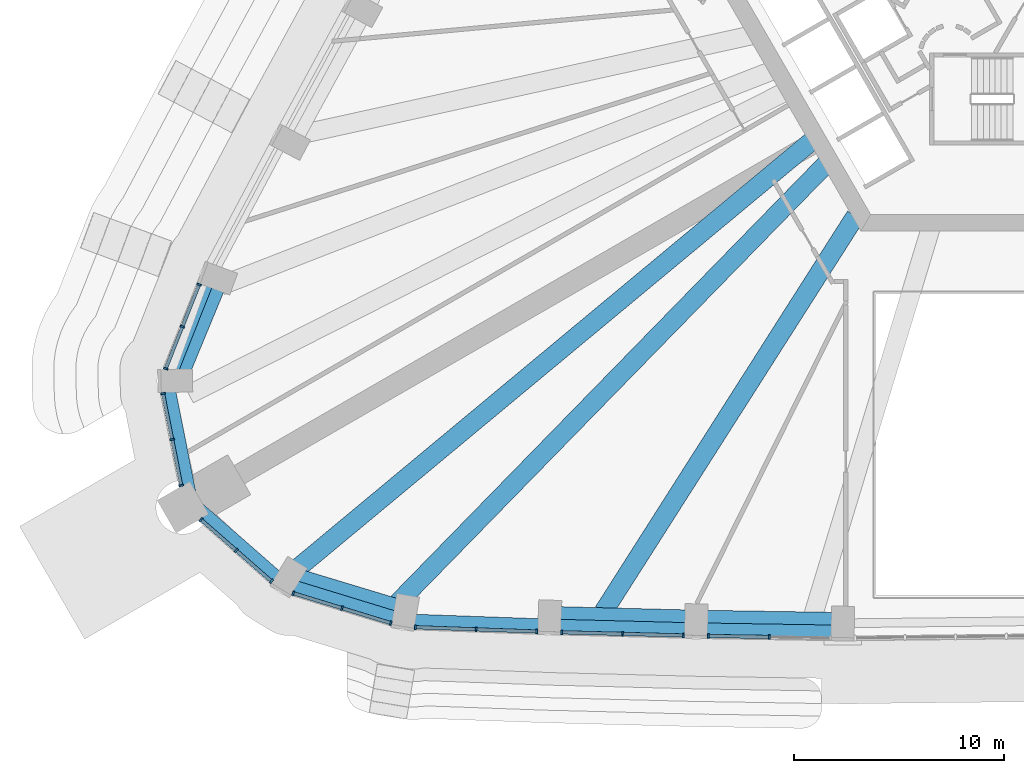
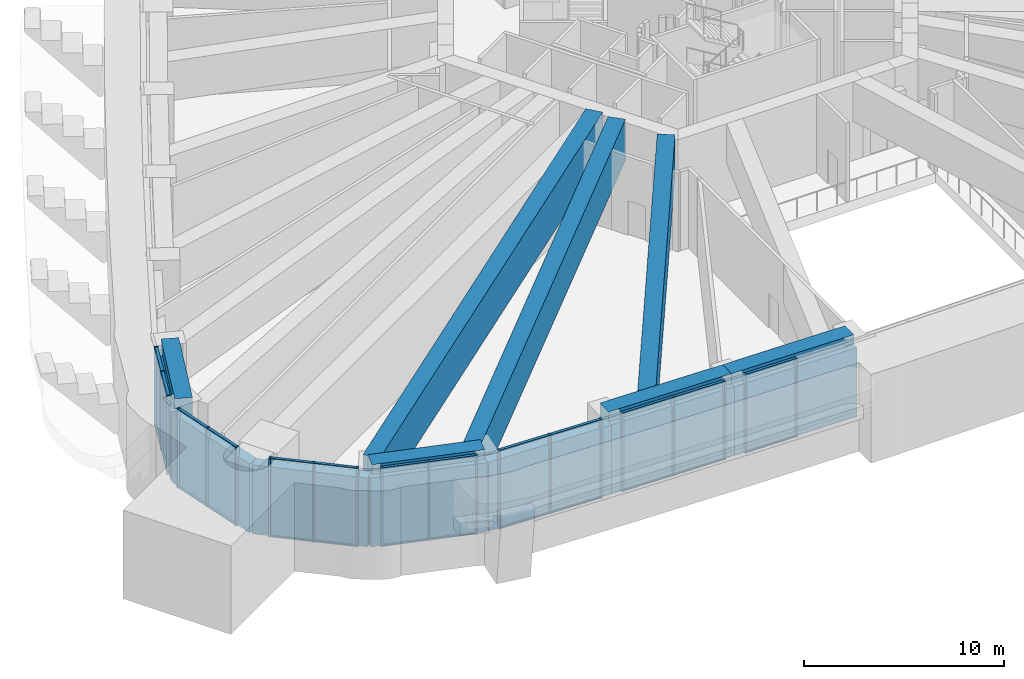
# One storey, part 2 of 22: 53 members, 7 beams, 7 elements without a shape of their own.
"""IFC4 building model written with IfcOpenShell, lengths in metres."""

from ifc_helpers import new_model, si_unit, direction, frame, origin, origin_2d, place, context, subcontext, project, spatial, rectangle, extrude, material, material_profile, profile_set, type_object, element, aggregate, save


model = new_model("IFC4")

# Units and contexts
model_context = context("Model", 3, precision=1e-05, world=origin(), true_north=direction((0.0, 1.0)))
body_context = subcontext(model_context, "Body", "Model", "MODEL_VIEW")
ifc_project = project(units=[si_unit("LENGTHUNIT", "METRE"), si_unit("AREAUNIT", "SQUARE_METRE"), si_unit("VOLUMEUNIT", "CUBIC_METRE"), si_unit("PLANEANGLEUNIT", "RADIAN"), si_unit("MASSUNIT", "GRAM", prefix="KILO")], contexts=[model_context])

# Site, building, storey
site_placement = place(None, origin())
site = spatial("IfcSite", under=ifc_project, at=site_placement, CompositionType="ELEMENT")
building_placement = place(site_placement, origin())
building = spatial("IfcBuilding", under=site, at=building_placement, Name="Entoto Arch Interchange Tower", CompositionType="ELEMENT")
storey_placement = place(building_placement, frame((0.0, 0.0, 132.800048828125)))
storey = spatial("IfcBuildingStorey", under=building, at=storey_placement, Name="L29", CompositionType="ELEMENT", Elevation=132.800048828125)

# Members
ifc_material_1 = material(Name="Concrete C60/75", Category="concrete")
ifc_material_profile_1 = material_profile(ifc_material_1, rectangle(XDim=0.60009765625, YDim=4.199951171875, at=origin_2d()))
ifc_profile_set_1 = profile_set([ifc_material_profile_1], Name="Concrete C60/75")
member_type_1 = type_object("IfcMemberType", Name="Belt member RC 600x4200 C60/75", PredefinedType="USERDEFINED", material=ifc_profile_set_1)
member_1_placement = place(storey_placement, frame((-28.7099609375, -28.0400390625, 2.099853515625), z_axis=(0.999360970644, -0.035744235238, 0.0), x_axis=(0.035744235238, 0.999360970644, 0.0)))
element("IfcMember", 1, at=member_1_placement, inside=storey, type_object=member_type_1, Name="Belt beam 01 L29", ObjectType="BELT BEAM", PredefinedType="USERDEFINED", context=body_context, shape_type="SweptSolid", body=[
    extrude(rectangle(XDim=0.60009765625, YDim=4.199951171875, at=origin_2d()), origin(), (0.0, 0.0, 1.0), 6.939453125),
])
member_2_placement = place(storey_placement, frame((-21.77490234375, -28.2880859375, 2.099853515625), z_axis=(0.999668764038, -0.025736398473, 0.0), x_axis=(0.025736398473, 0.999668764038, 0.0)))
element("IfcMember", 2, at=member_2_placement, inside=storey, type_object=member_type_1, Name="Belt beam 02 L29", ObjectType="BELT BEAM", PredefinedType="USERDEFINED", context=body_context, shape_type="SweptSolid", body=[
    extrude(rectangle(XDim=0.60009765625, YDim=4.199951171875, at=origin_2d()), origin(), (0.0, 0.0, 1.0), 6.9912109375),
])
member_3_placement = place(storey_placement, frame((-14.785888671875, -28.468017578125, 2.099853515625), z_axis=(0.999871402349, -0.016036794104, 0.0), x_axis=(0.016036794104, 0.999871402349, 0.0)))
element("IfcMember", 3, at=member_3_placement, inside=storey, type_object=member_type_1, Name="Belt beam 03 L29", ObjectType="BELT BEAM", PredefinedType="USERDEFINED", context=body_context, shape_type="SweptSolid", body=[
    extrude(rectangle(XDim=0.60009765625, YDim=4.199951171875, at=origin_2d()), origin(), (0.0, 0.0, 1.0), 6.98779296875),
])
member_4_placement = place(storey_placement, frame((-37.964111328125, -11.639892578125, 2.099853515625), z_axis=(-0.369253098372, -0.929328870391, 0.0), x_axis=(0.929328870391, -0.369253098372, 0.0)))
element("IfcMember", 4, at=member_4_placement, inside=storey, type_object=member_type_1, Name="Belt beam 32 L29", ObjectType="BELT BEAM", PredefinedType="USERDEFINED", context=body_context, shape_type="SweptSolid", body=[
    extrude(rectangle(XDim=0.60009765625, YDim=4.199951171875, at=origin_2d()), origin(), (0.0, 0.0, 1.0), 5.4375),
])
member_5_placement = place(storey_placement, frame((-39.971923828125, -16.693115234375, 2.099853515625), z_axis=(0.194660969903, -0.980870586161, 0.0), x_axis=(0.980870586161, 0.194660969903, 0.0)))
element("IfcMember", 5, at=member_5_placement, inside=storey, type_object=member_type_1, Name="Belt beam 33 L29", ObjectType="BELT BEAM", PredefinedType="USERDEFINED", context=body_context, shape_type="SweptSolid", body=[
    extrude(rectangle(XDim=0.60009765625, YDim=4.199951171875, at=origin_2d()), origin(), (0.0, 0.0, 1.0), 5.8408203125),
])
member_6_placement = place(storey_placement, frame((-38.8349609375, -22.422119140625, 2.099853515625), z_axis=(0.752288320751, -0.658834032562, 0.0), x_axis=(0.658834032562, 0.752288320751, 0.0)))
element("IfcMember", 6, at=member_6_placement, inside=storey, type_object=member_type_1, Name="Belt beam 34 L29", ObjectType="BELT BEAM", PredefinedType="USERDEFINED", context=body_context, shape_type="SweptSolid", body=[
    extrude(rectangle(XDim=0.60009765625, YDim=4.199951171875, at=origin_2d()), origin(), (0.0, 0.0, 1.0), 5.875244140625),
])
member_7_placement = place(storey_placement, frame((-34.4150390625, -26.29296875, 2.099853515625), z_axis=(0.956170968562, -0.292808946038, 0.0), x_axis=(0.292808946038, 0.956170968562, 0.0)))
element("IfcMember", 7, at=member_7_placement, inside=storey, type_object=member_type_1, Name="Belt beam 35 L29", ObjectType="BELT BEAM", PredefinedType="USERDEFINED", context=body_context, shape_type="SweptSolid", body=[
    extrude(rectangle(XDim=0.60009765625, YDim=4.199951171875, at=origin_2d()), origin(), (0.0, 0.0, 1.0), 5.966552734375),
])

# Curtain wall, members
ifc_material_2 = material(Name="Aluminium, anodised", Category="aluminium")
curtain_wall_type = type_object("IfcCurtainWallType", Name="CURTAIN WALL SKY LOBBY", PredefinedType="NOTDEFINED", material=ifc_material_2)
curtain_wall_1_placement = place(storey_placement, origin())
curtain_wall_1 = element("IfcCurtainWall", 8, at=curtain_wall_1_placement, inside=storey, type_object=curtain_wall_type, Name="Sky Lobby glazing S-01 L29", PredefinedType="NOTDEFINED")
ifc_material_profile_2 = material_profile(ifc_material_2, rectangle(XDim=0.219970703125, YDim=0.090087890625, at=origin_2d()))
ifc_profile_set_2 = profile_set([ifc_material_profile_2], Name="Aluminium, anodised")
member_type_2 = type_object("IfcMemberType", Name="MULLION SKY LOBBY 90x220", PredefinedType="MULLION", material=ifc_profile_set_2)
member_8_placement = place(storey_placement, frame((-28.162109375, -28.379638671875, 0.0), z_axis=(0.0, 0.0, 1.0), x_axis=(0.03572794113, 0.999361553304, 0.0)))
member_8 = element("IfcMember", 9, at=member_8_placement, type_object=member_type_2, Name="CWS mullion 1", PredefinedType="MULLION", context=body_context, shape_type="SweptSolid", body=[
    extrude(rectangle(XDim=0.219970703125, YDim=0.090087890625, at=origin_2d()), origin(), (0.0, 0.0, 1.0), 4.800048828125),
])
member_9_placement = place(storey_placement, frame((-25.27001953125, -28.48291015625, 0.0), z_axis=(0.0, 0.0, 1.0), x_axis=(0.03572794113, 0.999361553304, 0.0)))
member_9 = element("IfcMember", 10, at=member_9_placement, type_object=member_type_2, Name="CWS mullion 2", PredefinedType="MULLION", context=body_context, shape_type="SweptSolid", body=[
    extrude(rectangle(XDim=0.219970703125, YDim=0.090087890625, at=origin_2d()), origin(), (0.0, 0.0, 1.0), 4.800048828125),
])
member_10_placement = place(storey_placement, frame((-22.3779296875, -28.58642578125, 0.0), z_axis=(0.0, 0.0, 1.0), x_axis=(0.03572794113, 0.999361553304, 0.0)))
member_10 = element("IfcMember", 11, at=member_10_placement, type_object=member_type_2, Name="CWS mullion 3", PredefinedType="MULLION", context=body_context, shape_type="SweptSolid", body=[
    extrude(rectangle(XDim=0.219970703125, YDim=0.090087890625, at=origin_2d()), origin(), (0.0, 0.0, 1.0), 4.800048828125),
])

curtain_wall_2_placement = place(storey_placement, origin())
curtain_wall_2 = element("IfcCurtainWall", 12, at=curtain_wall_2_placement, inside=storey, type_object=curtain_wall_type, Name="Sky Lobby glazing S-02 L29", PredefinedType="NOTDEFINED")
member_11_placement = place(storey_placement, frame((-21.19091796875, -28.623046875, 0.0), z_axis=(0.0, 0.0, 1.0), x_axis=(0.025775996103, 0.999667743815, 0.0)))
member_11 = element("IfcMember", 13, at=member_11_placement, type_object=member_type_2, Name="CWS mullion 1", PredefinedType="MULLION", context=body_context, shape_type="SweptSolid", body=[
    extrude(rectangle(XDim=0.219970703125, YDim=0.090087890625, at=origin_2d()), origin(), (0.0, 0.0, 1.0), 4.800048828125),
])
member_12_placement = place(storey_placement, frame((-18.28857421875, -28.697998046875, 0.0), z_axis=(0.0, 0.0, 1.0), x_axis=(0.025775996103, 0.999667743815, 0.0)))
member_12 = element("IfcMember", 14, at=member_12_placement, type_object=member_type_2, Name="CWS mullion 2", PredefinedType="MULLION", context=body_context, shape_type="SweptSolid", body=[
    extrude(rectangle(XDim=0.219970703125, YDim=0.090087890625, at=origin_2d()), origin(), (0.0, 0.0, 1.0), 4.800048828125),
])
member_13_placement = place(storey_placement, frame((-15.385986328125, -28.77294921875, 0.0), z_axis=(0.0, 0.0, 1.0), x_axis=(0.025775996103, 0.999667743815, 0.0)))
member_13 = element("IfcMember", 15, at=member_13_placement, type_object=member_type_2, Name="CWS mullion 3", PredefinedType="MULLION", context=body_context, shape_type="SweptSolid", body=[
    extrude(rectangle(XDim=0.219970703125, YDim=0.090087890625, at=origin_2d()), origin(), (0.0, 0.0, 1.0), 4.800048828125),
])

curtain_wall_3_placement = place(storey_placement, origin())
curtain_wall_3 = element("IfcCurtainWall", 16, at=curtain_wall_3_placement, inside=storey, type_object=curtain_wall_type, Name="Sky Lobby glazing S-03 L29", PredefinedType="NOTDEFINED")
member_14_placement = place(storey_placement, frame((-14.197998046875, -28.797607421875, 0.0), z_axis=(0.0, 0.0, 1.0), x_axis=(0.015943689866, 0.999872891298, 0.0)))
member_14 = element("IfcMember", 17, at=member_14_placement, type_object=member_type_2, Name="CWS mullion 1", PredefinedType="MULLION", context=body_context, shape_type="SweptSolid", body=[
    extrude(rectangle(XDim=0.219970703125, YDim=0.090087890625, at=origin_2d()), origin(), (0.0, 0.0, 1.0), 4.800048828125),
])
member_15_placement = place(storey_placement, frame((-11.29541015625, -28.843994140625, 0.0), z_axis=(0.0, 0.0, 1.0), x_axis=(0.015943689866, 0.999872891298, 0.0)))
member_15 = element("IfcMember", 18, at=member_15_placement, type_object=member_type_2, Name="CWS mullion 2", PredefinedType="MULLION", context=body_context, shape_type="SweptSolid", body=[
    extrude(rectangle(XDim=0.219970703125, YDim=0.090087890625, at=origin_2d()), origin(), (0.0, 0.0, 1.0), 4.800048828125),
])

curtain_wall_4_placement = place(storey_placement, origin())
curtain_wall_4 = element("IfcCurtainWall", 19, at=curtain_wall_4_placement, inside=storey, type_object=curtain_wall_type, Name="Sky Lobby glazing SW-01 L29", PredefinedType="NOTDEFINED")
member_16_placement = place(storey_placement, frame((-38.470703125, -12.048828125, 0.0), z_axis=(0.0, 0.0, 1.0), x_axis=(0.929337115271, -0.369232347148, 0.0)))
member_16 = element("IfcMember", 20, at=member_16_placement, type_object=member_type_2, Name="CWS mullion 1", PredefinedType="MULLION", context=body_context, shape_type="SweptSolid", body=[
    extrude(rectangle(XDim=0.219970703125, YDim=0.090087890625, at=origin_2d()), origin(), (0.0, 0.0, 1.0), 4.800048828125),
])
member_17_placement = place(storey_placement, frame((-39.265380859375, -14.049560546875, 0.0), z_axis=(0.0, 0.0, 1.0), x_axis=(0.929337115271, -0.369232347148, 0.0)))
member_17 = element("IfcMember", 21, at=member_17_placement, type_object=member_type_2, Name="CWS mullion 2", PredefinedType="MULLION", context=body_context, shape_type="SweptSolid", body=[
    extrude(rectangle(XDim=0.219970703125, YDim=0.090087890625, at=origin_2d()), origin(), (0.0, 0.0, 1.0), 4.800048828125),
])
member_18_placement = place(storey_placement, frame((-40.060302734375, -16.05029296875, 0.0), z_axis=(0.0, 0.0, 1.0), x_axis=(0.929337115271, -0.369232347148, 0.0)))
member_18 = element("IfcMember", 22, at=member_18_placement, type_object=member_type_2, Name="CWS mullion 3", PredefinedType="MULLION", context=body_context, shape_type="SweptSolid", body=[
    extrude(rectangle(XDim=0.219970703125, YDim=0.090087890625, at=origin_2d()), origin(), (0.0, 0.0, 1.0), 4.800048828125),
])

curtain_wall_5_placement = place(storey_placement, origin())
curtain_wall_5 = element("IfcCurtainWall", 23, at=curtain_wall_5_placement, inside=storey, type_object=curtain_wall_type, Name="Sky Lobby glazing SW-02 L29", PredefinedType="NOTDEFINED")
member_19_placement = place(storey_placement, frame((-40.190185546875, -17.2412109375, 0.0), z_axis=(0.0, 0.0, 1.0), x_axis=(0.980858629781, 0.194721206815, 0.0)))
member_19 = element("IfcMember", 24, at=member_19_placement, type_object=member_type_2, Name="CWS mullion 1", PredefinedType="MULLION", context=body_context, shape_type="SweptSolid", body=[
    extrude(rectangle(XDim=0.219970703125, YDim=0.090087890625, at=origin_2d()), origin(), (0.0, 0.0, 1.0), 4.800048828125),
])
member_20_placement = place(storey_placement, frame((-39.756103515625, -19.428466796875, 0.0), z_axis=(0.0, 0.0, 1.0), x_axis=(0.980858629781, 0.194721206815, 0.0)))
member_20 = element("IfcMember", 25, at=member_20_placement, type_object=member_type_2, Name="CWS mullion 2", PredefinedType="MULLION", context=body_context, shape_type="SweptSolid", body=[
    extrude(rectangle(XDim=0.219970703125, YDim=0.090087890625, at=origin_2d()), origin(), (0.0, 0.0, 1.0), 4.800048828125),
])
member_21_placement = place(storey_placement, frame((-39.32177734375, -21.615966796875, 0.0), z_axis=(0.0, 0.0, 1.0), x_axis=(0.980858629781, 0.194721206815, 0.0)))
member_21 = element("IfcMember", 26, at=member_21_placement, type_object=member_type_2, Name="CWS mullion 3", PredefinedType="MULLION", context=body_context, shape_type="SweptSolid", body=[
    extrude(rectangle(XDim=0.219970703125, YDim=0.090087890625, at=origin_2d()), origin(), (0.0, 0.0, 1.0), 4.800048828125),
])

curtain_wall_6_placement = place(storey_placement, origin())
curtain_wall_6 = element("IfcCurtainWall", 27, at=curtain_wall_6_placement, inside=storey, type_object=curtain_wall_type, Name="Sky Lobby glazing SW-03 L29", PredefinedType="NOTDEFINED")
member_22_placement = place(storey_placement, frame((-38.379150390625, -23.24658203125, 0.0), z_axis=(0.0, 0.0, 1.0), x_axis=(0.658846938346, 0.752277018014, 0.0)))
member_22 = element("IfcMember", 28, at=member_22_placement, type_object=member_type_2, Name="CWS mullion 1", PredefinedType="MULLION", context=body_context, shape_type="SweptSolid", body=[
    extrude(rectangle(XDim=0.219970703125, YDim=0.090087890625, at=origin_2d()), origin(), (0.0, 0.0, 1.0), 4.800048828125),
])
member_23_placement = place(storey_placement, frame((-36.701904296875, -24.715576171875, 0.0), z_axis=(0.0, 0.0, 1.0), x_axis=(0.658846938346, 0.752277018014, 0.0)))
member_23 = element("IfcMember", 29, at=member_23_placement, type_object=member_type_2, Name="CWS mullion 2", PredefinedType="MULLION", context=body_context, shape_type="SweptSolid", body=[
    extrude(rectangle(XDim=0.219970703125, YDim=0.090087890625, at=origin_2d()), origin(), (0.0, 0.0, 1.0), 4.800048828125),
])
member_24_placement = place(storey_placement, frame((-35.02490234375, -26.184326171875, 0.0), z_axis=(0.0, 0.0, 1.0), x_axis=(0.658846938346, 0.752277018014, 0.0)))
member_24 = element("IfcMember", 30, at=member_24_placement, type_object=member_type_2, Name="CWS mullion 3", PredefinedType="MULLION", context=body_context, shape_type="SweptSolid", body=[
    extrude(rectangle(XDim=0.219970703125, YDim=0.090087890625, at=origin_2d()), origin(), (0.0, 0.0, 1.0), 4.800048828125),
])

curtain_wall_7_placement = place(storey_placement, origin())
curtain_wall_7 = element("IfcCurtainWall", 31, at=curtain_wall_7_placement, inside=storey, type_object=curtain_wall_type, Name="Sky Lobby glazing SW-04 L29", PredefinedType="NOTDEFINED")
member_25_placement = place(storey_placement, frame((-33.98291015625, -26.76025390625, 0.0), z_axis=(0.0, 0.0, 1.0), x_axis=(0.292793450754, 0.956175713557, 0.0)))
member_25 = element("IfcMember", 32, at=member_25_placement, type_object=member_type_2, Name="CWS mullion 1", PredefinedType="MULLION", context=body_context, shape_type="SweptSolid", body=[
    extrude(rectangle(XDim=0.219970703125, YDim=0.090087890625, at=origin_2d()), origin(), (0.0, 0.0, 1.0), 4.800048828125),
])
member_26_placement = place(storey_placement, frame((-31.659912109375, -27.471435546875, 0.0), z_axis=(0.0, 0.0, 1.0), x_axis=(0.292793450754, 0.956175713557, 0.0)))
member_26 = element("IfcMember", 33, at=member_26_placement, type_object=member_type_2, Name="CWS mullion 2", PredefinedType="MULLION", context=body_context, shape_type="SweptSolid", body=[
    extrude(rectangle(XDim=0.219970703125, YDim=0.090087890625, at=origin_2d()), origin(), (0.0, 0.0, 1.0), 4.800048828125),
])
member_27_placement = place(storey_placement, frame((-29.3369140625, -28.182861328125, 0.0), z_axis=(0.0, 0.0, 1.0), x_axis=(0.292793450754, 0.956175713557, 0.0)))
member_27 = element("IfcMember", 34, at=member_27_placement, type_object=member_type_2, Name="CWS mullion 3", PredefinedType="MULLION", context=body_context, shape_type="SweptSolid", body=[
    extrude(rectangle(XDim=0.219970703125, YDim=0.090087890625, at=origin_2d()), origin(), (0.0, 0.0, 1.0), 4.800048828125),
])

# Member
ifc_material_profile_3 = material_profile(ifc_material_2, rectangle(XDim=0.159912109375, YDim=0.070068359375, at=origin_2d()))
ifc_profile_set_3 = profile_set([ifc_material_profile_3], Name="Aluminium, anodised")
member_type_3 = type_object("IfcMemberType", Name="TRANSOM SKY LOBBY 70x160", PredefinedType="USERDEFINED", material=ifc_profile_set_3)
member_28_placement = place(storey_placement, frame((-28.116943359375, -28.381103515625, 0.034912109375), z_axis=(0.99935941108, -0.035787811968, 0.0), x_axis=(0.035787811968, 0.99935941108, 0.0)))
member_28 = element("IfcMember", 35, at=member_28_placement, type_object=member_type_3, Name="CWS transom 1.1", ObjectType="TRANSOM", PredefinedType="USERDEFINED", context=body_context, shape_type="SweptSolid", body=[
    extrude(rectangle(XDim=0.159912109375, YDim=0.070068359375, at=origin_2d()), origin(), (0.0, 0.0, 1.0), 2.8037109375),
])

member_29_placement = place(storey_placement, frame((-28.116943359375, -28.381103515625, 4.764892578125), z_axis=(0.99935941108, -0.035787811968, 0.0), x_axis=(0.035787811968, 0.99935941108, 0.0)))
member_29 = element("IfcMember", 36, at=member_29_placement, type_object=member_type_3, Name="CWS transom 1.2", ObjectType="TRANSOM", PredefinedType="USERDEFINED", context=body_context, shape_type="SweptSolid", body=[
    extrude(rectangle(XDim=0.159912109375, YDim=0.070068359375, at=origin_2d()), origin(), (0.0, 0.0, 1.0), 2.8037109375),
])

member_30_placement = place(storey_placement, frame((-25.22509765625, -28.484619140625, 0.034912109375), z_axis=(0.9993626325, -0.035697741708, 0.0), x_axis=(0.035697741708, 0.9993626325, 0.0)))
member_30 = element("IfcMember", 37, at=member_30_placement, type_object=member_type_3, Name="CWS transom 2.1", ObjectType="TRANSOM", PredefinedType="USERDEFINED", context=body_context, shape_type="SweptSolid", body=[
    extrude(rectangle(XDim=0.159912109375, YDim=0.070068359375, at=origin_2d()), origin(), (0.0, 0.0, 1.0), 2.803955078125),
])

member_31_placement = place(storey_placement, frame((-25.22509765625, -28.484619140625, 4.764892578125), z_axis=(0.9993626325, -0.035697741708, 0.0), x_axis=(0.035697741708, 0.9993626325, 0.0)))
member_31 = element("IfcMember", 38, at=member_31_placement, type_object=member_type_3, Name="CWS transom 2.2", ObjectType="TRANSOM", PredefinedType="USERDEFINED", context=body_context, shape_type="SweptSolid", body=[
    extrude(rectangle(XDim=0.159912109375, YDim=0.070068359375, at=origin_2d()), origin(), (0.0, 0.0, 1.0), 2.803955078125),
])

aggregate(curtain_wall_1, [member_8, member_9, member_10, member_28, member_29, member_30, member_31])

member_32_placement = place(storey_placement, frame((-21.14599609375, -28.624267578125, 0.034912109375), z_axis=(0.999667829154, -0.02577268622, 0.0), x_axis=(0.02577268622, 0.999667829154, 0.0)))
member_32 = element("IfcMember", 39, at=member_32_placement, type_object=member_type_3, Name="CWS transom 1.1", ObjectType="TRANSOM", PredefinedType="USERDEFINED", context=body_context, shape_type="SweptSolid", body=[
    extrude(rectangle(XDim=0.159912109375, YDim=0.070068359375, at=origin_2d()), origin(), (0.0, 0.0, 1.0), 2.8134765625),
])

member_33_placement = place(storey_placement, frame((-21.14599609375, -28.624267578125, 4.764892578125), z_axis=(0.999667829154, -0.02577268622, 0.0), x_axis=(0.02577268622, 0.999667829154, 0.0)))
member_33 = element("IfcMember", 40, at=member_33_placement, type_object=member_type_3, Name="CWS transom 1.2", ObjectType="TRANSOM", PredefinedType="USERDEFINED", context=body_context, shape_type="SweptSolid", body=[
    extrude(rectangle(XDim=0.159912109375, YDim=0.070068359375, at=origin_2d()), origin(), (0.0, 0.0, 1.0), 2.8134765625),
])

member_34_placement = place(storey_placement, frame((-18.243408203125, -28.69921875, 0.034912109375), z_axis=(0.999667829154, -0.02577268622, 0.0), x_axis=(0.02577268622, 0.999667829154, 0.0)))
member_34 = element("IfcMember", 41, at=member_34_placement, type_object=member_type_3, Name="CWS transom 2.1", ObjectType="TRANSOM", PredefinedType="USERDEFINED", context=body_context, shape_type="SweptSolid", body=[
    extrude(rectangle(XDim=0.159912109375, YDim=0.070068359375, at=origin_2d()), origin(), (0.0, 0.0, 1.0), 2.8134765625),
])

member_35_placement = place(storey_placement, frame((-18.243408203125, -28.69921875, 4.764892578125), z_axis=(0.999667829154, -0.02577268622, 0.0), x_axis=(0.02577268622, 0.999667829154, 0.0)))
member_35 = element("IfcMember", 42, at=member_35_placement, type_object=member_type_3, Name="CWS transom 2.2", ObjectType="TRANSOM", PredefinedType="USERDEFINED", context=body_context, shape_type="SweptSolid", body=[
    extrude(rectangle(XDim=0.159912109375, YDim=0.070068359375, at=origin_2d()), origin(), (0.0, 0.0, 1.0), 2.8134765625),
])

aggregate(curtain_wall_2, [member_11, member_12, member_13, member_32, member_33, member_34, member_35])

member_36_placement = place(storey_placement, frame((-14.153076171875, -28.79833984375, 0.034912109375), z_axis=(0.999872468459, -0.01597018526, 0.0), x_axis=(0.01597018526, 0.999872468459, 0.0)))
member_36 = element("IfcMember", 43, at=member_36_placement, type_object=member_type_3, Name="CWS transom 1.1", ObjectType="TRANSOM", PredefinedType="USERDEFINED", context=body_context, shape_type="SweptSolid", body=[
    extrude(rectangle(XDim=0.159912109375, YDim=0.070068359375, at=origin_2d()), origin(), (0.0, 0.0, 1.0), 2.812744140625),
])

member_37_placement = place(storey_placement, frame((-14.153076171875, -28.79833984375, 4.764892578125), z_axis=(0.999872468459, -0.01597018526, 0.0), x_axis=(0.01597018526, 0.999872468459, 0.0)))
member_37 = element("IfcMember", 44, at=member_37_placement, type_object=member_type_3, Name="CWS transom 1.2", ObjectType="TRANSOM", PredefinedType="USERDEFINED", context=body_context, shape_type="SweptSolid", body=[
    extrude(rectangle(XDim=0.159912109375, YDim=0.070068359375, at=origin_2d()), origin(), (0.0, 0.0, 1.0), 2.812744140625),
])

aggregate(curtain_wall_3, [member_14, member_15, member_36, member_37])

member_38_placement = place(storey_placement, frame((-38.4873046875, -12.090576171875, 0.034912109375), z_axis=(-0.369165256341, -0.929363768129, 0.0), x_axis=(0.929363768129, -0.369165256341, 0.0)))
member_38 = element("IfcMember", 45, at=member_38_placement, type_object=member_type_3, Name="CWS transom 1.1", ObjectType="TRANSOM", PredefinedType="USERDEFINED", context=body_context, shape_type="SweptSolid", body=[
    extrude(rectangle(XDim=0.159912109375, YDim=0.070068359375, at=origin_2d()), origin(), (0.0, 0.0, 1.0), 2.062744140625),
])

member_39_placement = place(storey_placement, frame((-38.4873046875, -12.090576171875, 4.764892578125), z_axis=(-0.369165256341, -0.929363768129, 0.0), x_axis=(0.929363768129, -0.369165256341, 0.0)))
member_39 = element("IfcMember", 46, at=member_39_placement, type_object=member_type_3, Name="CWS transom 1.2", ObjectType="TRANSOM", PredefinedType="USERDEFINED", context=body_context, shape_type="SweptSolid", body=[
    extrude(rectangle(XDim=0.159912109375, YDim=0.070068359375, at=origin_2d()), origin(), (0.0, 0.0, 1.0), 2.062744140625),
])

member_40_placement = place(storey_placement, frame((-39.2822265625, -14.09130859375, 0.034912109375), z_axis=(-0.369165256341, -0.929363768129, 0.0), x_axis=(0.929363768129, -0.369165256341, 0.0)))
member_40 = element("IfcMember", 47, at=member_40_placement, type_object=member_type_3, Name="CWS transom 2.1", ObjectType="TRANSOM", PredefinedType="USERDEFINED", context=body_context, shape_type="SweptSolid", body=[
    extrude(rectangle(XDim=0.159912109375, YDim=0.070068359375, at=origin_2d()), origin(), (0.0, 0.0, 1.0), 2.062744140625),
])

member_41_placement = place(storey_placement, frame((-39.2822265625, -14.09130859375, 4.764892578125), z_axis=(-0.369165256341, -0.929363768129, 0.0), x_axis=(0.929363768129, -0.369165256341, 0.0)))
member_41 = element("IfcMember", 48, at=member_41_placement, type_object=member_type_3, Name="CWS transom 2.2", ObjectType="TRANSOM", PredefinedType="USERDEFINED", context=body_context, shape_type="SweptSolid", body=[
    extrude(rectangle(XDim=0.159912109375, YDim=0.070068359375, at=origin_2d()), origin(), (0.0, 0.0, 1.0), 2.062744140625),
])

aggregate(curtain_wall_4, [member_16, member_17, member_18, member_38, member_39, member_40, member_41])

member_42_placement = place(storey_placement, frame((-40.181396484375, -17.28515625, 0.034912109375), z_axis=(0.194733822488, -0.980856125219, 0.0), x_axis=(0.980856125219, 0.194733822488, 0.0)))
member_42 = element("IfcMember", 49, at=member_42_placement, type_object=member_type_3, Name="CWS transom 1.1", ObjectType="TRANSOM", PredefinedType="USERDEFINED", context=body_context, shape_type="SweptSolid", body=[
    extrude(rectangle(XDim=0.159912109375, YDim=0.070068359375, at=origin_2d()), origin(), (0.0, 0.0, 1.0), 2.14013671875),
])

member_43_placement = place(storey_placement, frame((-40.181396484375, -17.28515625, 4.764892578125), z_axis=(0.194733822488, -0.980856125219, 0.0), x_axis=(0.980856125219, 0.194733822488, 0.0)))
member_43 = element("IfcMember", 50, at=member_43_placement, type_object=member_type_3, Name="CWS transom 1.2", ObjectType="TRANSOM", PredefinedType="USERDEFINED", context=body_context, shape_type="SweptSolid", body=[
    extrude(rectangle(XDim=0.159912109375, YDim=0.070068359375, at=origin_2d()), origin(), (0.0, 0.0, 1.0), 2.14013671875),
])

member_44_placement = place(storey_placement, frame((-39.747314453125, -19.47265625, 0.034912109375), z_axis=(0.194733822488, -0.980856125219, 0.0), x_axis=(0.980856125219, 0.194733822488, 0.0)))
member_44 = element("IfcMember", 51, at=member_44_placement, type_object=member_type_3, Name="CWS transom 2.1", ObjectType="TRANSOM", PredefinedType="USERDEFINED", context=body_context, shape_type="SweptSolid", body=[
    extrude(rectangle(XDim=0.159912109375, YDim=0.070068359375, at=origin_2d()), origin(), (0.0, 0.0, 1.0), 2.14013671875),
])

member_45_placement = place(storey_placement, frame((-39.747314453125, -19.47265625, 4.764892578125), z_axis=(0.194733822488, -0.980856125219, 0.0), x_axis=(0.980856125219, 0.194733822488, 0.0)))
member_45 = element("IfcMember", 52, at=member_45_placement, type_object=member_type_3, Name="CWS transom 2.2", ObjectType="TRANSOM", PredefinedType="USERDEFINED", context=body_context, shape_type="SweptSolid", body=[
    extrude(rectangle(XDim=0.159912109375, YDim=0.070068359375, at=origin_2d()), origin(), (0.0, 0.0, 1.0), 2.14013671875),
])

aggregate(curtain_wall_5, [member_19, member_20, member_21, member_42, member_43, member_44, member_45])

member_46_placement = place(storey_placement, frame((-38.34521484375, -23.2763671875, 0.034912109375), z_axis=(0.75229384453, -0.658827725193, 0.0), x_axis=(0.658827725193, 0.75229384453, 0.0)))
member_46 = element("IfcMember", 53, at=member_46_placement, type_object=member_type_3, Name="CWS transom 1.1", ObjectType="TRANSOM", PredefinedType="USERDEFINED", context=body_context, shape_type="SweptSolid", body=[
    extrude(rectangle(XDim=0.159912109375, YDim=0.070068359375, at=origin_2d()), origin(), (0.0, 0.0, 1.0), 2.139404296875),
])

member_47_placement = place(storey_placement, frame((-38.34521484375, -23.2763671875, 4.764892578125), z_axis=(0.75229384453, -0.658827725193, 0.0), x_axis=(0.658827725193, 0.75229384453, 0.0)))
member_47 = element("IfcMember", 54, at=member_47_placement, type_object=member_type_3, Name="CWS transom 1.2", ObjectType="TRANSOM", PredefinedType="USERDEFINED", context=body_context, shape_type="SweptSolid", body=[
    extrude(rectangle(XDim=0.159912109375, YDim=0.070068359375, at=origin_2d()), origin(), (0.0, 0.0, 1.0), 2.139404296875),
])

member_48_placement = place(storey_placement, frame((-36.668212890625, -24.7451171875, 0.034912109375), z_axis=(0.752286818191, -0.658835748253, 0.0), x_axis=(0.658835748253, 0.752286818191, 0.0)))
member_48 = element("IfcMember", 55, at=member_48_placement, type_object=member_type_3, Name="CWS transom 2.1", ObjectType="TRANSOM", PredefinedType="USERDEFINED", context=body_context, shape_type="SweptSolid", body=[
    extrude(rectangle(XDim=0.159912109375, YDim=0.070068359375, at=origin_2d()), origin(), (0.0, 0.0, 1.0), 2.1396484375),
])

member_49_placement = place(storey_placement, frame((-36.668212890625, -24.7451171875, 4.764892578125), z_axis=(0.752286818191, -0.658835748253, 0.0), x_axis=(0.658835748253, 0.752286818191, 0.0)))
member_49 = element("IfcMember", 56, at=member_49_placement, type_object=member_type_3, Name="CWS transom 2.2", ObjectType="TRANSOM", PredefinedType="USERDEFINED", context=body_context, shape_type="SweptSolid", body=[
    extrude(rectangle(XDim=0.159912109375, YDim=0.070068359375, at=origin_2d()), origin(), (0.0, 0.0, 1.0), 2.1396484375),
])

aggregate(curtain_wall_6, [member_22, member_23, member_24, member_46, member_47, member_48, member_49])

member_50_placement = place(storey_placement, frame((-33.93994140625, -26.7734375, 0.034912109375), z_axis=(0.956191012907, -0.292743482995, 0.0), x_axis=(0.292743482995, 0.956191012907, 0.0)))
member_50 = element("IfcMember", 57, at=member_50_placement, type_object=member_type_3, Name="CWS transom 1.1", ObjectType="TRANSOM", PredefinedType="USERDEFINED", context=body_context, shape_type="SweptSolid", body=[
    extrude(rectangle(XDim=0.159912109375, YDim=0.070068359375, at=origin_2d()), origin(), (0.0, 0.0, 1.0), 2.33935546875),
])

member_51_placement = place(storey_placement, frame((-33.93994140625, -26.7734375, 4.764892578125), z_axis=(0.956191012907, -0.292743482995, 0.0), x_axis=(0.292743482995, 0.956191012907, 0.0)))
member_51 = element("IfcMember", 58, at=member_51_placement, type_object=member_type_3, Name="CWS transom 1.2", ObjectType="TRANSOM", PredefinedType="USERDEFINED", context=body_context, shape_type="SweptSolid", body=[
    extrude(rectangle(XDim=0.159912109375, YDim=0.070068359375, at=origin_2d()), origin(), (0.0, 0.0, 1.0), 2.33935546875),
])

member_52_placement = place(storey_placement, frame((-31.616943359375, -27.484619140625, 0.034912109375), z_axis=(0.956161795359, -0.292838899561, 0.0), x_axis=(0.292838899561, 0.956161795359, 0.0)))
member_52 = element("IfcMember", 59, at=member_52_placement, type_object=member_type_3, Name="CWS transom 2.1", ObjectType="TRANSOM", PredefinedType="USERDEFINED", context=body_context, shape_type="SweptSolid", body=[
    extrude(rectangle(XDim=0.159912109375, YDim=0.070068359375, at=origin_2d()), origin(), (0.0, 0.0, 1.0), 2.33935546875),
])

member_53_placement = place(storey_placement, frame((-31.616943359375, -27.484619140625, 4.764892578125), z_axis=(0.956161795359, -0.292838899561, 0.0), x_axis=(0.292838899561, 0.956161795359, 0.0)))
member_53 = element("IfcMember", 60, at=member_53_placement, type_object=member_type_3, Name="CWS transom 2.2", ObjectType="TRANSOM", PredefinedType="USERDEFINED", context=body_context, shape_type="SweptSolid", body=[
    extrude(rectangle(XDim=0.159912109375, YDim=0.070068359375, at=origin_2d()), origin(), (0.0, 0.0, 1.0), 2.33935546875),
])

aggregate(curtain_wall_7, [member_25, member_26, member_27, member_50, member_51, member_52, member_53])

# Beams
ifc_material_profile_4 = material_profile(ifc_material_1, rectangle(XDim=0.89990234375, YDim=2.39990234375, at=origin_2d()))
ifc_profile_set_4 = profile_set([ifc_material_profile_4], Name="Concrete C60/75")
beam_type_1 = type_object("IfcBeamType", Name="Transfer beam RC 900x2400 C60/75", PredefinedType="BEAM", material=ifc_profile_set_4)
beam_1_placement = place(storey_placement, frame((-7.18701171875, -8.783935546875, 3.599853515625), z_axis=(-0.537235776971, -0.843432107489, 0.0), x_axis=(0.843432107489, -0.537235776971, 0.0)))
element("IfcBeam", 61, at=beam_1_placement, inside=storey, type_object=beam_type_1, Name="Transfer beam S02 L29", PredefinedType="BEAM", context=body_context, shape_type="SweptSolid", body=[
    extrude(rectangle(XDim=0.89990234375, YDim=2.39990234375, at=origin_2d()), origin(), (0.0, 0.0, 1.0), 22.35888671875),
])
beam_2_placement = place(storey_placement, frame((-21.757080078125, -27.833984375, 3.599853515625), z_axis=(0.999671889948, -0.025614692045, 0.0), x_axis=(0.025614692045, 0.999671889948, 0.0)))
element("IfcBeam", 62, at=beam_2_placement, inside=storey, type_object=beam_type_1, Name="Transfer girder S02 L29", PredefinedType="BEAM", context=body_context, shape_type="SweptSolid", body=[
    extrude(rectangle(XDim=0.89990234375, YDim=2.39990234375, at=origin_2d()), origin(), (0.0, 0.0, 1.0), 6.986328125),
])
beam_3_placement = place(storey_placement, frame((-14.77294921875, -28.012939453125, 3.599853515625), z_axis=(0.999871186426, -0.016050250912, 0.0), x_axis=(0.016050250912, 0.999871186426, 0.0)))
element("IfcBeam", 63, at=beam_3_placement, inside=storey, type_object=beam_type_1, Name="Transfer girder S03 L29", PredefinedType="BEAM", context=body_context, shape_type="SweptSolid", body=[
    extrude(rectangle(XDim=0.89990234375, YDim=2.39990234375, at=origin_2d()), origin(), (0.0, 0.0, 1.0), 6.98193359375),
])
beam_4_placement = place(storey_placement, frame((-37.52490234375, -11.76611328125, 3.599853515625), z_axis=(-0.381773939512, -0.924255732527, 0.0), x_axis=(0.924255732527, -0.381773939512, 0.0)))
element("IfcBeam", 64, at=beam_4_placement, inside=storey, type_object=beam_type_1, Name="Transfer girder NW08 L29", PredefinedType="BEAM", context=body_context, shape_type="SweptSolid", body=[
    extrude(rectangle(XDim=0.89990234375, YDim=2.39990234375, at=origin_2d()), origin(), (0.0, 0.0, 1.0), 5.262451171875),
])
ifc_material_profile_5 = material_profile(ifc_material_1, rectangle(XDim=0.89990234375, YDim=2.5, at=origin_2d()))
ifc_profile_set_5 = profile_set([ifc_material_profile_5], Name="Concrete C60/75")
beam_type_2 = type_object("IfcBeamType", Name="Transfer beam RC 900x2500 C60/75", PredefinedType="BEAM", material=ifc_profile_set_5)
beam_5_placement = place(storey_placement, frame((-8.60205078125, -6.31201171875, 3.550048828125), z_axis=(-0.698493299781, -0.715616594387, 0.0), x_axis=(0.715616594387, -0.698493299781, 0.0)))
element("IfcBeam", 65, at=beam_5_placement, inside=storey, type_object=beam_type_2, Name="Transfer beam S01 L29", PredefinedType="BEAM", context=body_context, shape_type="SweptSolid", body=[
    extrude(rectangle(XDim=0.89990234375, YDim=2.5, at=origin_2d()), origin(), (0.0, 0.0, 1.0), 29.199951171875),
])
beam_6_placement = place(storey_placement, frame((-34.16796875, -25.922119140625, 3.550048828125), z_axis=(0.957188305309, -0.289465970676, 0.0), x_axis=(0.289465970676, 0.957188305309, 0.0)))
element("IfcBeam", 66, at=beam_6_placement, inside=storey, type_object=beam_type_2, Name="Transfer girder S01 L29", PredefinedType="BEAM", context=body_context, shape_type="SweptSolid", body=[
    extrude(rectangle(XDim=0.89990234375, YDim=2.5, at=origin_2d()), origin(), (0.0, 0.0, 1.0), 5.782470703125),
])
ifc_material_profile_6 = material_profile(ifc_material_1, rectangle(XDim=0.89990234375, YDim=2.699951171875, at=origin_2d()))
ifc_profile_set_6 = profile_set([ifc_material_profile_6], Name="Concrete C60/75")
beam_type_3 = type_object("IfcBeamType", Name="Transfer beam RC 900x2700 C60/75", PredefinedType="BEAM", material=ifc_profile_set_6)
beam_7_placement = place(storey_placement, frame((-9.2490234375, -5.18505859375, 3.449951171875), z_axis=(-0.76914944534, -0.639068956165, 0.0), x_axis=(0.639068956165, -0.76914944534, 0.0)))
element("IfcBeam", 67, at=beam_7_placement, inside=storey, type_object=beam_type_3, Name="Transfer beam SW3 L29", PredefinedType="BEAM", context=body_context, shape_type="SweptSolid", body=[
    extrude(rectangle(XDim=0.89990234375, YDim=2.699951171875, at=origin_2d()), origin(), (0.0, 0.0, 1.0), 32.118408203125),
])

save(model, "model.ifc")
